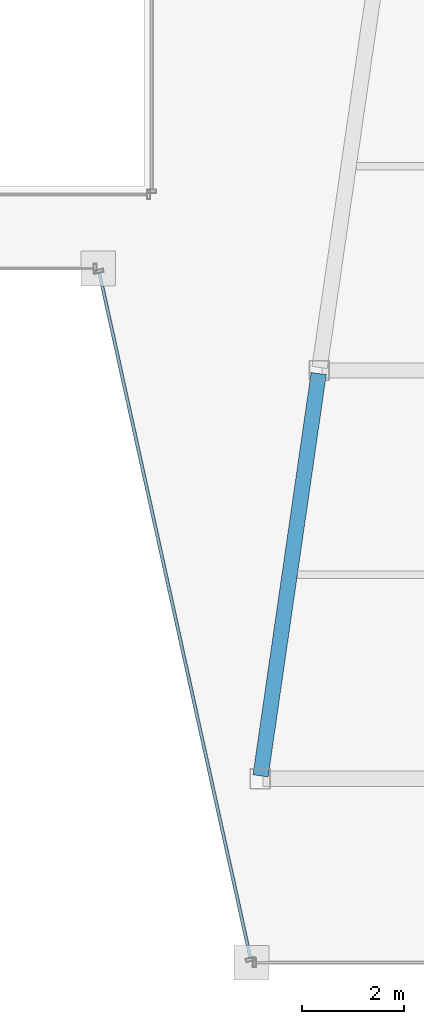
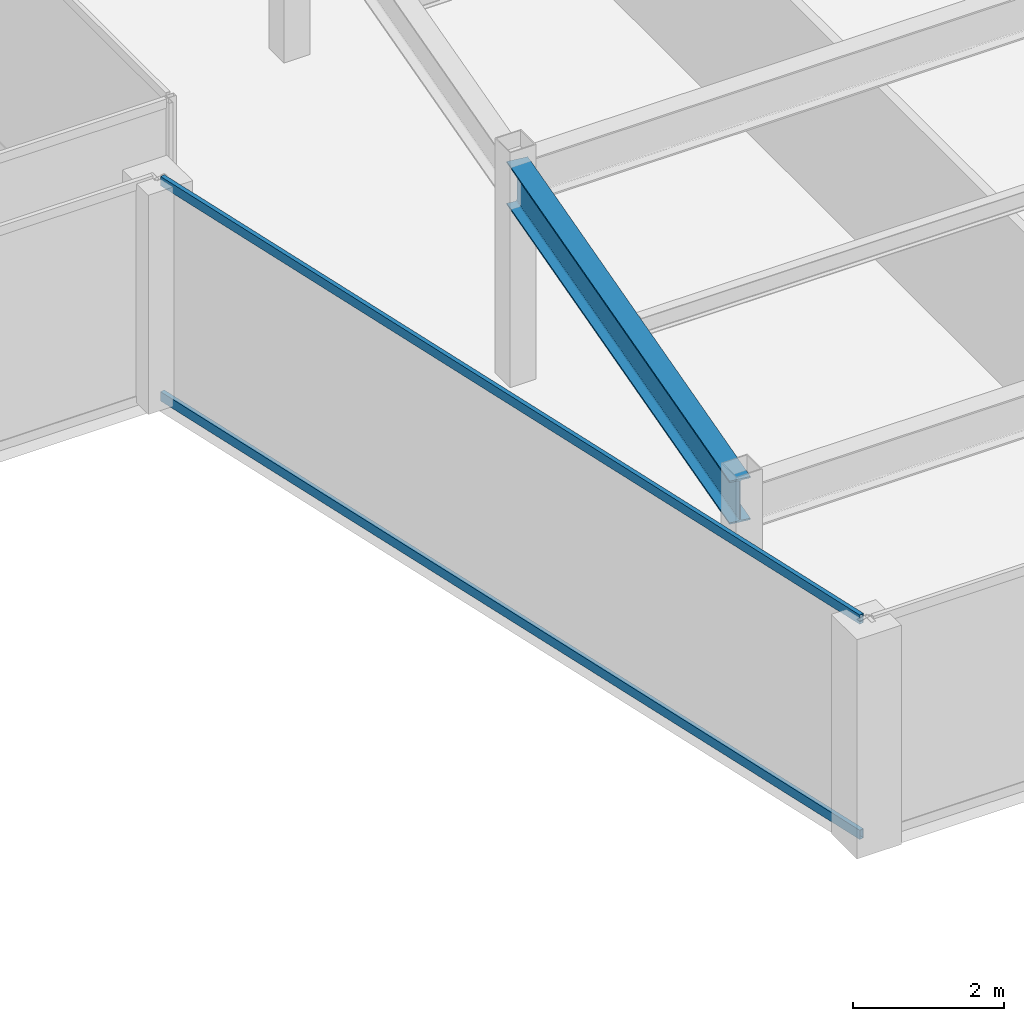
# One storey, part 17 of 36: 2 members, 1 beam, 1 element without a shape of its own.
"""IFC4 building model written with IfcOpenShell, lengths in metres."""

from ifc_helpers import new_model, si_unit, direction, frame, origin, origin_2d, place, context, subcontext, project, spatial, hollow_rectangle, i_section, extrude, material, material_profile, profile_set, type_object, element, aggregate, save


model = new_model("IFC4")

# Units and contexts
model_context = context("Model", 3, precision=1e-05, world=origin(), true_north=direction((0.0, 1.0)))
body_context = subcontext(model_context, "Body", "Model", "MODEL_VIEW")
ifc_project = project(units=[si_unit("LENGTHUNIT", "METRE"), si_unit("AREAUNIT", "SQUARE_METRE"), si_unit("VOLUMEUNIT", "CUBIC_METRE"), si_unit("PLANEANGLEUNIT", "RADIAN"), si_unit("MASSUNIT", "GRAM", prefix="KILO")], contexts=[model_context])

# Site, building, storey
site_placement = place(None, origin())
site = spatial("IfcSite", under=ifc_project, at=site_placement, CompositionType="ELEMENT")
building_placement = place(site_placement, origin())
building = spatial("IfcBuilding", under=site, at=building_placement, Name="Saevonmaru Cultural Tower", CompositionType="ELEMENT")
storey_placement = place(building_placement, frame((0.0, 0.0, 198.0)))
storey = spatial("IfcBuildingStorey", under=building, at=storey_placement, Name="L45", CompositionType="ELEMENT", Elevation=198.0)

# Beam
ifc_material_1 = material(Name="Steel SM355", Category="steel")
ifc_material_profile_1 = material_profile(ifc_material_1, i_section(OverallWidth=0.300048828125, OverallDepth=0.699951171875, WebThickness=0.012939453125, FlangeThickness=0.02392578125, FilletRadius=0.02587890625, at=origin_2d()), Name="H-700x300x13x24")
ifc_profile_set_1 = profile_set([ifc_material_profile_1], Name="Steel SM355")
beam_type = type_object("IfcBeamType", Name="BM-G-H700", PredefinedType="BEAM", material=ifc_profile_set_1)
beam_placement = place(storey_placement, frame((38.08056640625, 16.059326171875, 3.199951171875), z_axis=(0.143022161059, 0.989719486241, 0.0), x_axis=(-0.989719486241, 0.143022161059, 0.0)))
element("IfcBeam", 1, at=beam_placement, inside=storey, type_object=beam_type, Name="L45 East Atrium Girder 1", PredefinedType="BEAM", context=body_context, shape_type="SweptSolid", body=[
    extrude(i_section(OverallWidth=0.300048828125, OverallDepth=0.699951171875, WebThickness=0.012939453125, FlangeThickness=0.02392578125, FilletRadius=0.02587890625, at=origin_2d()), origin(), (0.0, 0.0, 1.0), 7.963134765625),
])

# Curtain wall, members
ifc_material_2 = material(Name="Satin Bronze Anodised Aluminium", Category="aluminium")
curtain_wall_type = type_object("IfcCurtainWallType", Name="CW-TYP-B", PredefinedType="NOTDEFINED", material=ifc_material_2)
curtain_wall_placement = place(storey_placement, origin())
curtain_wall = element("IfcCurtainWall", 2, at=curtain_wall_placement, inside=storey, type_object=curtain_wall_type, Name="L45 Unitised Curtain Wall E5", PredefinedType="NOTDEFINED")
ifc_material_profile_2 = material_profile(ifc_material_2, hollow_rectangle(XDim=0.06494140625, YDim=0.14990234375, WallThickness=0.00390625, at=origin_2d()), Name="ALU-TRAN-150x65x4")
ifc_profile_set_2 = profile_set([ifc_material_profile_2], Name="Satin Bronze Anodised Aluminium")
member_type = type_object("IfcMemberType", Name="TR-CW-150x65", PredefinedType="USERDEFINED", material=ifc_profile_set_2)
member_1_placement = place(storey_placement, frame((34.922119140625, 25.90966796875, 0.032470703125), z_axis=(0.21541214732, -0.976523223885, 0.0), x_axis=(0.976523223885, 0.21541214732, 0.0)))
member_1 = element("IfcMember", 3, at=member_1_placement, type_object=member_type, Name="CW-TW-L45-E5 transom 1.1", ObjectType="TRANSOM", PredefinedType="USERDEFINED", context=body_context, shape_type="SweptSolid", body=[
    extrude(hollow_rectangle(XDim=0.06494140625, YDim=0.14990234375, WallThickness=0.00390625, at=origin_2d()), origin(), (0.0, 0.0, 1.0), 13.741943359375),
])
member_2_placement = place(storey_placement, frame((34.922119140625, 25.90966796875, 3.517578125), z_axis=(0.21541214732, -0.976523223885, 0.0), x_axis=(0.976523223885, 0.21541214732, 0.0)))
member_2 = element("IfcMember", 4, at=member_2_placement, type_object=member_type, Name="CW-TW-L45-E5 transom 1.2", ObjectType="TRANSOM", PredefinedType="USERDEFINED", context=body_context, shape_type="SweptSolid", body=[
    extrude(hollow_rectangle(XDim=0.06494140625, YDim=0.14990234375, WallThickness=0.00390625, at=origin_2d()), origin(), (0.0, 0.0, 1.0), 13.741943359375),
])
aggregate(curtain_wall, [member_1, member_2])

save(model, "model.ifc")
